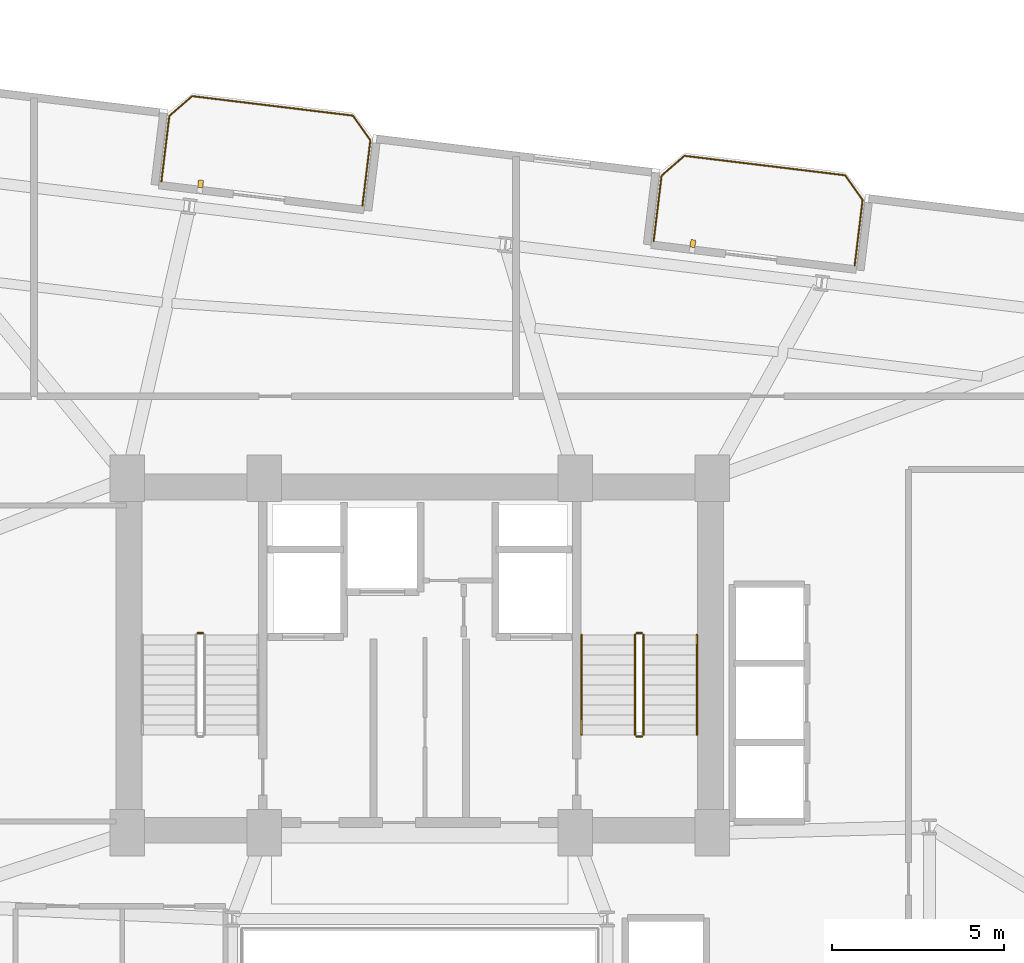
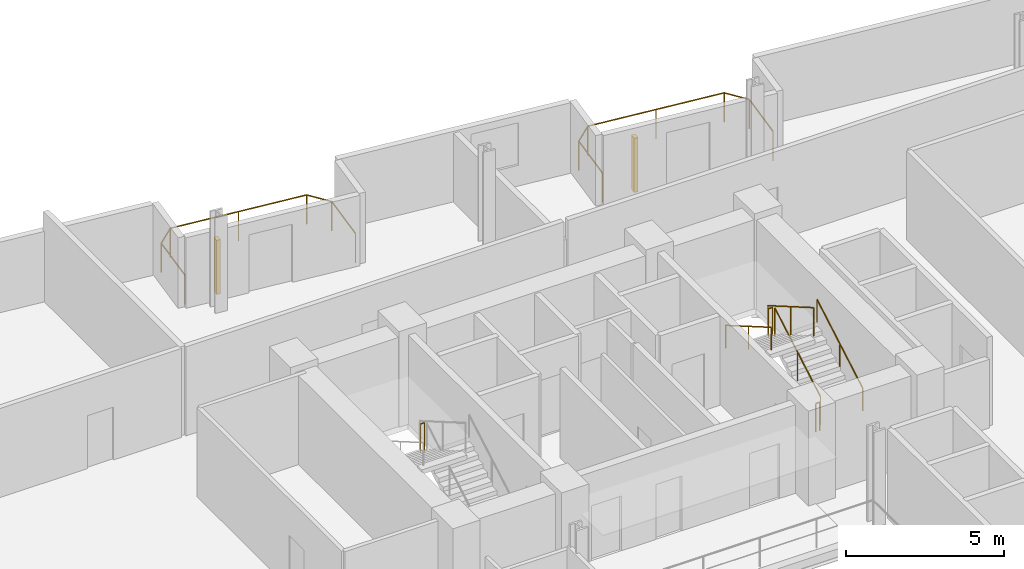
# One storey, part 25 of 25: 9 railings, 2 shading devices.
"""IFC4 building model written with IfcOpenShell, lengths in metres."""

from ifc_helpers import new_model, si_unit, direction, frame, origin, origin_2d, place, context, subcontext, project, spatial, rectangle, circle, extrude, source, transform, mapped, material, type_object, element, save


model = new_model("IFC4")

# Units and contexts
model_context = context("Model", 3, precision=1e-05, world=origin(), true_north=direction((0.0, 1.0)))
body_context = subcontext(model_context, "Body", "Model", "MODEL_VIEW")
ifc_project = project(units=[si_unit("LENGTHUNIT", "METRE"), si_unit("AREAUNIT", "SQUARE_METRE"), si_unit("VOLUMEUNIT", "CUBIC_METRE"), si_unit("PLANEANGLEUNIT", "RADIAN"), si_unit("MASSUNIT", "GRAM", prefix="KILO")], contexts=[model_context])

# Site, building, storey
site_placement = place(None, origin())
site = spatial("IfcSite", under=ifc_project, at=site_placement, CompositionType="ELEMENT")
building_placement = place(site_placement, origin())
building = spatial("IfcBuilding", under=site, at=building_placement, Name="Varnelok Gate Tower", CompositionType="ELEMENT")
storey_placement = place(building_placement, frame((0.0, 0.0, 132.800048828125)))
storey = spatial("IfcBuildingStorey", under=building, at=storey_placement, Name="L33", CompositionType="ELEMENT", Elevation=132.800048828125)

# Railings
ifc_material_1 = material(Name="Low-E Laminated Double Glazing IGU", Category="glass")
railing_type_1 = type_object("IfcRailingType", Name="RL-BALC-1150", PredefinedType="BALUSTRADE", material=ifc_material_1)
railing_1_placement = place(storey_placement, frame((31.697021484375, 47.66552734375, 0.0)))
element("IfcRailing", 1, at=railing_1_placement, inside=storey, type_object=railing_type_1, Name="L33 North Terrace Balustrade 3", PredefinedType="BALUSTRADE", context=body_context, shape_type="SweptSolid", body=[
    extrude(circle(Radius=0.02392578125, at=origin_2d()), frame((0.0, 0.0, 1.1259765625), z_axis=(0.120293392036, 0.992738384386, 0.0), x_axis=(-0.992738384386, 0.120293392036, 0.0)), (0.0, 0.0, 1.0), 1.919921875),
    extrude(circle(Radius=0.02392578125, at=origin_2d()), frame((0.23095703125, 1.906005859375, 1.1259765625), z_axis=(0.756422670136, 0.654083132411, 0.0), x_axis=(-0.654083132411, 0.756422670136, 0.0)), (0.0, 0.0, 1.0), 0.8779296875),
    extrude(circle(Radius=0.02392578125, at=origin_2d()), frame((0.89501953125, 2.480224609375, 1.1259765625), z_axis=(0.992730585037, -0.120357739811, 0.0), x_axis=(0.120357739811, 0.992730585037, 0.0)), (0.0, 0.0, 1.0), 4.699951171875),
    extrude(circle(Radius=0.02392578125, at=origin_2d()), frame((5.560791015625, 1.91455078125, 1.1259765625), z_axis=(0.578287426437, -0.81583310329, 0.0), x_axis=(0.81583310329, 0.578287426437, 0.0)), (0.0, 0.0, 1.0), 0.877685546875),
    extrude(circle(Radius=0.02392578125, at=origin_2d()), frame((6.068359375, 1.198486328125, 1.1259765625), z_axis=(-0.120418709125, -0.992723191274, 0.0), x_axis=(0.992723191274, -0.120418709125, 0.0)), (0.0, 0.0, 1.0), 1.919921875),
    extrude(circle(Radius=0.02099609375, at=origin_2d()), origin(), (0.0, 0.0, 1.0), 1.101806640625),
    extrude(circle(Radius=0.02099609375, at=origin_2d()), frame((0.23095703125, 1.906005859375, 0.0)), (0.0, 0.0, 1.0), 1.101806640625),
    extrude(circle(Radius=0.02099609375, at=origin_2d()), frame((0.89501953125, 2.480224609375, 0.0)), (0.0, 0.0, 1.0), 1.101806640625),
    extrude(circle(Radius=0.02099609375, at=origin_2d()), frame((3.22802734375, 2.197265625, 0.0)), (0.0, 0.0, 1.0), 1.101806640625),
    extrude(circle(Radius=0.02099609375, at=origin_2d()), frame((5.560791015625, 1.91455078125, 0.0)), (0.0, 0.0, 1.0), 1.101806640625),
    extrude(circle(Radius=0.02099609375, at=origin_2d()), frame((6.068359375, 1.198486328125, 0.0)), (0.0, 0.0, 1.0), 1.101806640625),
    extrude(circle(Radius=0.02099609375, at=origin_2d()), frame((5.837158203125, -0.70751953125, 0.0)), (0.0, 0.0, 1.0), 1.101806640625),
])
railing_2_placement = place(storey_placement, frame((45.992431640625, 45.9326171875, 0.0)))
element("IfcRailing", 2, at=railing_2_placement, inside=storey, type_object=railing_type_1, Name="L33 North Terrace Balustrade 4", PredefinedType="BALUSTRADE", context=body_context, shape_type="SweptSolid", body=[
    extrude(circle(Radius=0.02392578125, at=origin_2d()), frame((0.0, 0.0, 1.1259765625), z_axis=(0.120293392036, 0.992738384386, 0.0), x_axis=(-0.992738384386, 0.120293392036, 0.0)), (0.0, 0.0, 1.0), 1.919921875),
    extrude(circle(Radius=0.02392578125, at=origin_2d()), frame((0.23095703125, 1.906005859375, 1.1259765625), z_axis=(0.756422670136, 0.654083132411, 0.0), x_axis=(-0.654083132411, 0.756422670136, 0.0)), (0.0, 0.0, 1.0), 0.8779296875),
    extrude(circle(Radius=0.02392578125, at=origin_2d()), frame((0.89501953125, 2.480224609375, 1.1259765625), z_axis=(0.992730585037, -0.120357739811, 0.0), x_axis=(0.120357739811, 0.992730585037, 0.0)), (0.0, 0.0, 1.0), 4.699951171875),
    extrude(circle(Radius=0.02392578125, at=origin_2d()), frame((5.560791015625, 1.91455078125, 1.1259765625), z_axis=(0.57815621837, -0.815926091726, 0.0), x_axis=(0.815926091726, 0.57815621837, 0.0)), (0.0, 0.0, 1.0), 0.8779296875),
    extrude(circle(Radius=0.02392578125, at=origin_2d()), frame((6.068359375, 1.1982421875, 1.1259765625), z_axis=(-0.120418709125, -0.992723191274, 0.0), x_axis=(0.992723191274, -0.120418709125, 0.0)), (0.0, 0.0, 1.0), 1.919921875),
    extrude(circle(Radius=0.02099609375, at=origin_2d()), origin(), (0.0, 0.0, 1.0), 1.101806640625),
    extrude(circle(Radius=0.02099609375, at=origin_2d()), frame((0.23095703125, 1.906005859375, 0.0)), (0.0, 0.0, 1.0), 1.101806640625),
    extrude(circle(Radius=0.02099609375, at=origin_2d()), frame((0.89501953125, 2.480224609375, 0.0)), (0.0, 0.0, 1.0), 1.101806640625),
    extrude(circle(Radius=0.02099609375, at=origin_2d()), frame((3.22802734375, 2.197265625, 0.0)), (0.0, 0.0, 1.0), 1.101806640625),
    extrude(circle(Radius=0.02099609375, at=origin_2d()), frame((5.560791015625, 1.91455078125, 0.0)), (0.0, 0.0, 1.0), 1.101806640625),
    extrude(circle(Radius=0.02099609375, at=origin_2d()), frame((6.068359375, 1.1982421875, 0.0)), (0.0, 0.0, 1.0), 1.101806640625),
    extrude(circle(Radius=0.02099609375, at=origin_2d()), frame((5.837158203125, -0.707763671875, 0.0)), (0.0, 0.0, 1.0), 1.101806640625),
])
ifc_material_2 = material(Name="Brushed Stainless Steel AISI 316", Category="steel")
railing_type_2 = type_object("IfcRailingType", Name="RL-HANDRAIL-900", PredefinedType="HANDRAIL", material=ifc_material_2)
railing_3_placement = place(storey_placement, frame((47.25, 31.60009765625, 0.168212890625)))
element("IfcRailing", 3, at=railing_3_placement, inside=storey, type_object=railing_type_2, Name="L33 ST-2 stair handrail 1", PredefinedType="HANDRAIL", context=body_context, shape_type="SweptSolid", body=[
    extrude(circle(Radius=0.02392578125, at=origin_2d()), frame((0.0, 0.0, 0.8759765625), z_axis=(0.0, 0.86507038078, 0.501650512107), x_axis=(-1.0, 0.0, 0.0)), (0.0, 0.0, 1.0), 3.352294921875),
    extrude(circle(Radius=0.02099609375, at=origin_2d()), origin(), (0.0, 0.0, 1.0), 0.851806640625),
    extrude(circle(Radius=0.02099609375, at=origin_2d()), frame((0.0, 1.449951171875, 0.8408203125)), (0.0, 0.0, 1.0), 0.851806640625),
    extrude(circle(Radius=0.02099609375, at=origin_2d()), frame((0.0, 2.89990234375, 1.681640625)), (0.0, 0.0, 1.0), 0.851806640625),
])
railing_4_placement = place(storey_placement, frame((43.89990234375, 34.5, 2.01806640625)))
element("IfcRailing", 4, at=railing_4_placement, inside=storey, type_object=railing_type_2, Name="L33 ST-2 stair handrail 2", PredefinedType="HANDRAIL", context=body_context, shape_type="SweptSolid", body=[
    extrude(circle(Radius=0.02392578125, at=origin_2d()), frame((0.0, 0.0, 0.8759765625), z_axis=(0.0, -0.865038774852, 0.501705010941), x_axis=(1.0, 0.0, 0.0)), (0.0, 0.0, 1.0), 3.352294921875),
    extrude(circle(Radius=0.02099609375, at=origin_2d()), origin(), (0.0, 0.0, 1.0), 0.851806640625),
    extrude(circle(Radius=0.02099609375, at=origin_2d()), frame((0.0, -1.449951171875, 0.8408203125)), (0.0, 0.0, 1.0), 0.851806640625),
    extrude(circle(Radius=0.02099609375, at=origin_2d()), frame((0.0, -2.89990234375, 1.681884765625)), (0.0, 0.0, 1.0), 0.851806640625),
])
ifc_material_3 = material(Name="Galvanized Steel Grade S350GD", Category="steel")
railing_type_3 = type_object("IfcRailingType", Name="RL-STAIR-GUARD1120", PredefinedType="GUARDRAIL", material=ifc_material_3)
railing_5_placement = place(storey_placement, frame((32.89990234375, 34.550048828125, 1.849853515625)))
element("IfcRailing", 5, at=railing_5_placement, inside=storey, type_object=railing_type_3, Name="L33 ST-1 stair guard 2", PredefinedType="GUARDRAIL", context=body_context, shape_type="SweptSolid", body=[
    extrude(circle(Radius=0.02392578125, at=origin_2d()), frame((0.0, 0.0, 1.09619140625), z_axis=(-1.0, 0.0, 0.0), x_axis=(0.0, -1.0, 0.0)), (0.0, 0.0, 1.0), 0.14990234375),
    extrude(circle(Radius=0.02099609375, at=origin_2d()), origin(), (0.0, 0.0, 1.0), 1.072021484375),
    extrude(circle(Radius=0.02099609375, at=origin_2d()), frame((-0.14990234375, 0.0, 0.0)), (0.0, 0.0, 1.0), 1.072021484375),
])
railing_6_placement = place(storey_placement, frame((45.699951171875, 31.60009765625, 0.168212890625)))
element("IfcRailing", 6, at=railing_6_placement, inside=storey, type_object=railing_type_3, Name="L33 ST-2 stair guard 1", PredefinedType="GUARDRAIL", context=body_context, shape_type="SweptSolid", body=[
    extrude(circle(Radius=0.02392578125, at=origin_2d()), frame((0.0, 0.0, 1.09619140625), z_axis=(0.0, 0.86507038078, 0.501650512107), x_axis=(-1.0, 0.0, 0.0)), (0.0, 0.0, 1.0), 3.352294921875),
    extrude(circle(Radius=0.02099609375, at=origin_2d()), origin(), (0.0, 0.0, 1.0), 1.072021484375),
    extrude(circle(Radius=0.02099609375, at=origin_2d()), frame((0.0, 1.449951171875, 0.8408203125)), (0.0, 0.0, 1.0), 1.072021484375),
    extrude(circle(Radius=0.02099609375, at=origin_2d()), frame((0.0, 2.89990234375, 1.681640625)), (0.0, 0.0, 1.0), 1.072021484375),
])
railing_7_placement = place(storey_placement, frame((45.64990234375, 34.550048828125, 1.849853515625)))
element("IfcRailing", 7, at=railing_7_placement, inside=storey, type_object=railing_type_3, Name="L33 ST-2 stair guard 2", PredefinedType="GUARDRAIL", context=body_context, shape_type="SweptSolid", body=[
    extrude(circle(Radius=0.02392578125, at=origin_2d()), frame((0.0, 0.0, 1.09619140625), z_axis=(-1.0, 0.0, 0.0), x_axis=(0.0, -1.0, 0.0)), (0.0, 0.0, 1.0), 0.14990234375),
    extrude(circle(Radius=0.02099609375, at=origin_2d()), origin(), (0.0, 0.0, 1.0), 1.072021484375),
    extrude(circle(Radius=0.02099609375, at=origin_2d()), frame((-0.14990234375, 0.0, 0.0)), (0.0, 0.0, 1.0), 1.072021484375),
])
railing_8_placement = place(storey_placement, frame((45.449951171875, 34.5, 2.01806640625)))
element("IfcRailing", 8, at=railing_8_placement, inside=storey, type_object=railing_type_3, Name="L33 ST-2 stair guard 3", PredefinedType="GUARDRAIL", context=body_context, shape_type="SweptSolid", body=[
    extrude(circle(Radius=0.02392578125, at=origin_2d()), frame((0.0, 0.0, 1.09619140625), z_axis=(0.0, -0.865038774852, 0.501705010941), x_axis=(1.0, 0.0, 0.0)), (0.0, 0.0, 1.0), 3.352294921875),
    extrude(circle(Radius=0.02099609375, at=origin_2d()), origin(), (0.0, 0.0, 1.0), 1.072021484375),
    extrude(circle(Radius=0.02099609375, at=origin_2d()), frame((0.0, -1.449951171875, 0.8408203125)), (0.0, 0.0, 1.0), 1.072021484375),
    extrude(circle(Radius=0.02099609375, at=origin_2d()), frame((0.0, -2.89990234375, 1.681884765625)), (0.0, 0.0, 1.0), 1.072021484375),
])
railing_9_placement = place(storey_placement, frame((45.64990234375, 31.550048828125, 0.0)))
element("IfcRailing", 9, at=railing_9_placement, inside=storey, type_object=railing_type_3, Name="L33 ST-2 stair guard 4", PredefinedType="GUARDRAIL", context=body_context, shape_type="SweptSolid", body=[
    extrude(circle(Radius=0.02392578125, at=origin_2d()), frame((0.0, 0.0, 1.09619140625), z_axis=(-1.0, 0.0, 0.0), x_axis=(0.0, -1.0, 0.0)), (0.0, 0.0, 1.0), 0.14990234375),
    extrude(circle(Radius=0.02099609375, at=origin_2d()), origin(), (0.0, 0.0, 1.0), 1.072021484375),
    extrude(circle(Radius=0.02099609375, at=origin_2d()), frame((-0.14990234375, 0.0, 0.0)), (0.0, 0.0, 1.0), 1.072021484375),
])

# Shading devices
ifc_material_4 = material(Name="Glazed Architectural Terracotta Ceramic", Category="masonry")
shading_device_type = type_object("IfcShadingDeviceType", Name="SHD-TERRA-FIN", PredefinedType="USERDEFINED", material=ifc_material_4)
shared_shape = source(origin(), body_context, "Body", "SweptSolid", [
    extrude(rectangle(XDim=0.139892578125, YDim=0.219970703125, at=origin_2d()), origin(), (0.0, 0.0, 1.0), 2.10009765625),
])
for number, where, z_axis, x_axis, name in (
    (10, (32.837158203125, 47.597900390625, 0.099853515625), (0.0, 0.0, 1.0), (0.992732158755, -0.12034475881, 0.0), "L33 Terracotta Ceramic Baguette Sunscreen 3.1"),
    (11, (47.132568359375, 45.86474609375, 0.099853515625), (0.0, 0.0, 1.0), (0.992732158755, -0.12034475881, 0.0), "L33 Terracotta Ceramic Baguette Sunscreen 4.1"),
):
    element("IfcShadingDevice", number, at=place(storey_placement, frame(where, z_axis=z_axis, x_axis=x_axis)), inside=storey, type_object=shading_device_type, Name=name, ObjectType="BAGUETTE", PredefinedType="USERDEFINED", context=body_context, shape_type="MappedRepresentation", body=[
        mapped(shared_shape, transform((0.0, 0.0, 0.0), scale=1.0)),
    ])

save(model, "model.ifc")
